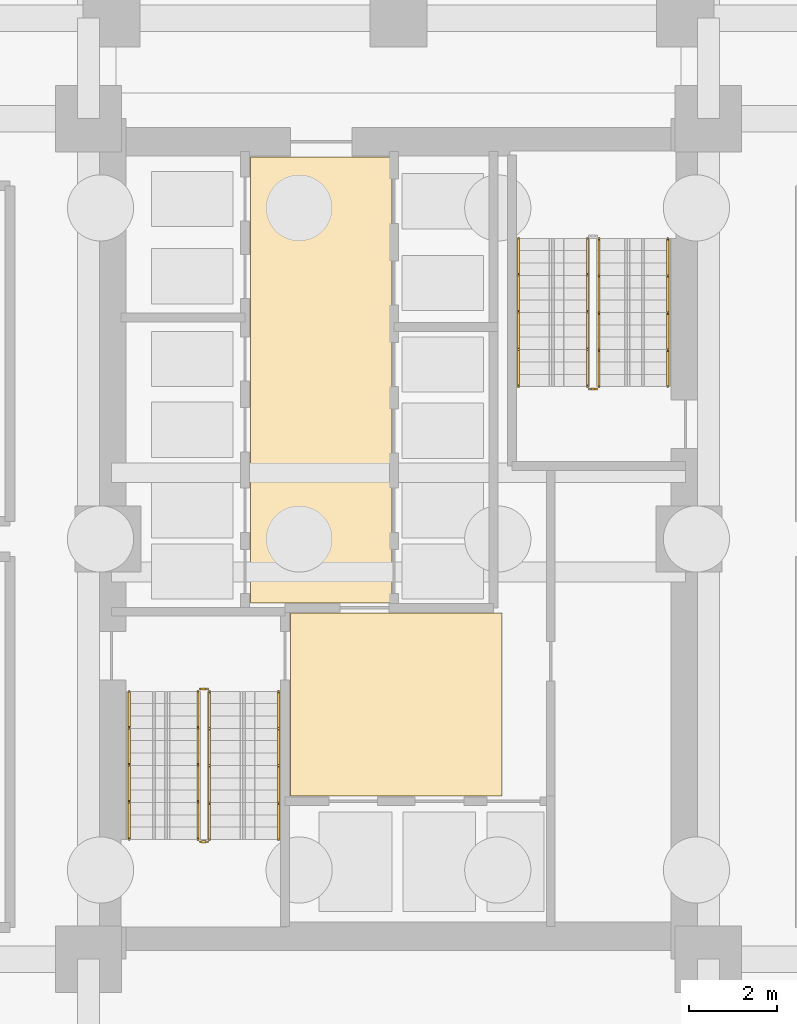
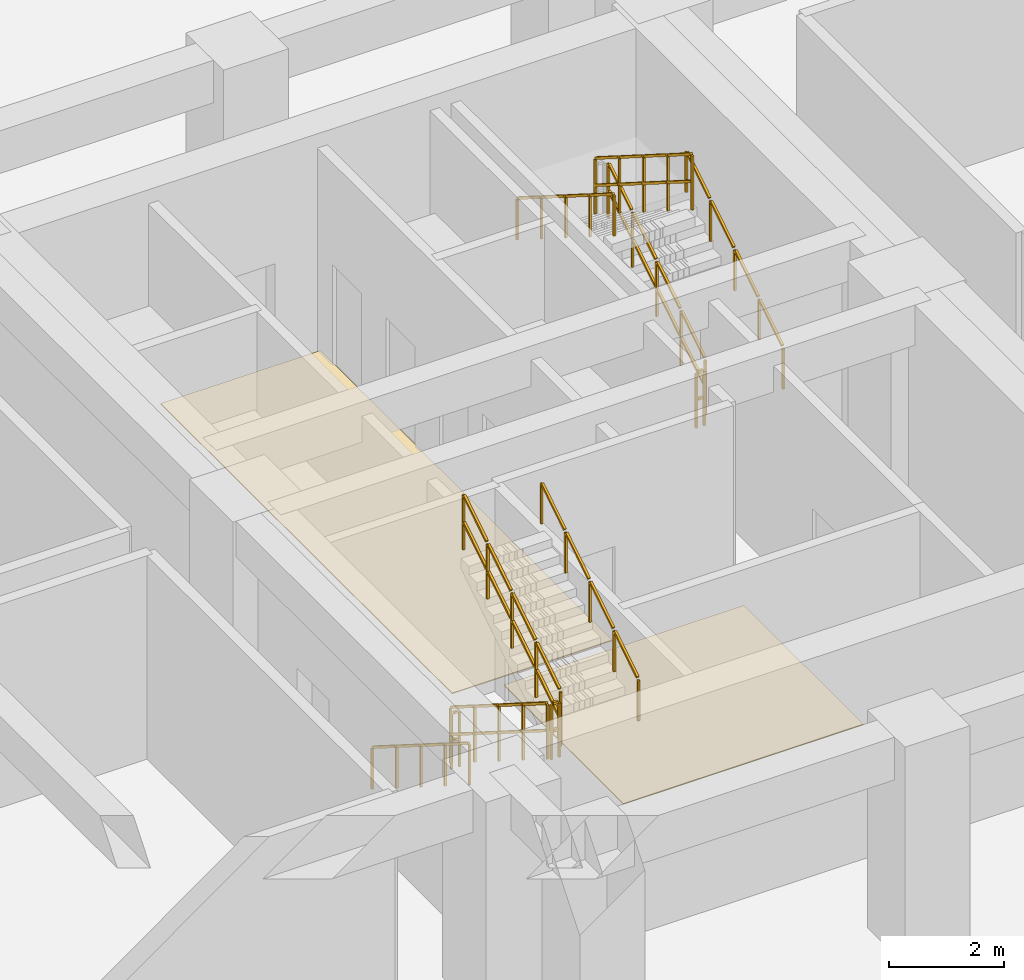
# One storey, part 10 of 14: 11 railings, 2 coverings.
"""IFC4 building model written with IfcOpenShell, lengths in metres."""

import ifcopenshell
import ifcopenshell.guid

model = None  # the IFC model being written
_history = None  # IfcOwnerHistory: only IFC2X3 demands one
_inside = {}  # id of a spatial element -> (the spatial element, [elements in it])
_under = {}  # id of a project, library or spatial element -> (it, [spatial elements below it])
_declared = {}  # id of a project -> (the project, [libraries it declares])
_typed = {}  # id of a type object -> (the type object, [elements of that type])
_made_of = {}  # id of a material, layer set ... -> (it, [elements and type objects made of it])


def new_model(schema):
    """Start an empty IFC model of exactly this schema.

    Asked for "IFC4X3", IfcOpenShell would pick the latest addendum, in which some entities
    have other attributes; the version numbers below select the first issue.
    IFC2X3 requires an IfcOwnerHistory on every rooted entity: one is made here for all.
    """
    global model, _history
    if schema == "IFC4X3":
        model = ifcopenshell.file(schema_version=(4, 3, 0, 0))
    else:
        model = ifcopenshell.file(schema=schema)
    _inside.clear()
    _under.clear()
    _declared.clear()
    _typed.clear()
    _made_of.clear()
    _history = None
    if model.schema == "IFC2X3":
        org = make("IfcOrganization", Name="unknown")
        user = make(
            "IfcPersonAndOrganization",
            ThePerson=make("IfcPerson", FamilyName="unknown"),
            TheOrganization=org,
        )
        app = make(
            "IfcApplication",
            ApplicationDeveloper=org,
            Version="unknown",
            ApplicationFullName="unknown",
            ApplicationIdentifier="unknown",
        )
        _history = make(
            "IfcOwnerHistory",
            OwningUser=user,
            OwningApplication=app,
            ChangeAction="ADDED",
            CreationDate=0,
        )
    return model


def make(cls, **values):
    """One entity of the class cls with the attributes given. An attribute that is None is left unset."""
    return model.create_entity(
        cls, **{name: value for name, value in values.items() if value is not None}
    )


def rooted(cls, **values):
    """An entity with a GlobalId (a new one), such as an element, a storey or a relation."""
    return make(cls, GlobalId=ifcopenshell.guid.new(), OwnerHistory=_history, **values)


def si_unit(unit_type, name, prefix=None):
    """IfcSIUnit, for example si_unit("LENGTHUNIT", "METRE", prefix="MILLI")."""
    return make("IfcSIUnit", UnitType=unit_type, Prefix=prefix, Name=name)


def assignment(units):
    """IfcUnitAssignment: the units of a project."""
    return None if units is None else make("IfcUnitAssignment", Units=units)


def point(xyz):
    """IfcCartesianPoint."""
    return None if xyz is None else make("IfcCartesianPoint", Coordinates=xyz)


def direction(xyz):
    """IfcDirection."""
    return None if xyz is None else make("IfcDirection", DirectionRatios=xyz)


def frame(location, z_axis=None, x_axis=None):
    """IfcAxis2Placement3D, a coordinate frame: its origin and axes. An axis left out is left unset."""
    return make(
        "IfcAxis2Placement3D",
        Location=point(location),
        Axis=direction(z_axis),
        RefDirection=direction(x_axis),
    )


def frame_2d(location, x_axis=None):
    """IfcAxis2Placement2D, a coordinate frame in the plane: its origin and x axis."""
    return make(
        "IfcAxis2Placement2D", Location=point(location), RefDirection=direction(x_axis)
    )


def origin():
    """The frame at (0, 0, 0) with its axes left unset."""
    return frame((0.0, 0.0, 0.0))


def origin_2d():
    """The frame at (0, 0) in the plane with its x axis left unset."""
    return frame_2d((0.0, 0.0))


def place(relative_to, where):
    """IfcLocalPlacement: puts the frame where relative to a parent placement (None: the world)."""
    return make(
        "IfcLocalPlacement", PlacementRelTo=relative_to, RelativePlacement=where
    )


def context(
    kind, dimensions, precision=None, world=None, true_north=None, identifier=None
):
    """IfcGeometricRepresentationContext, for example the 3D "Model" context."""
    return make(
        "IfcGeometricRepresentationContext",
        ContextIdentifier=identifier,
        ContextType=kind,
        CoordinateSpaceDimension=dimensions,
        Precision=precision,
        WorldCoordinateSystem=world,
        TrueNorth=true_north,
    )


def subcontext(parent, identifier, kind, view, scale=None):
    """IfcGeometricRepresentationSubContext, for example "Body" below "Model"."""
    return make(
        "IfcGeometricRepresentationSubContext",
        ContextIdentifier=identifier,
        ContextType=kind,
        ParentContext=parent,
        TargetScale=scale,
        TargetView=view,
    )


def project(units=None, contexts=None):
    """IfcProject with its units and contexts."""
    return rooted(
        "IfcProject",
        Name="project",
        RepresentationContexts=contexts,
        UnitsInContext=assignment(units),
    )


def spatial(cls, under=None, at=None, **own):
    """A site, building, storey or space (cls), placed at a placement, below another one or the project."""
    s = rooted(cls, ObjectPlacement=at, **own)
    if under is not None:
        _under.setdefault(under.id(), (under, []))[1].append(s)
    return s


def polyline(points):
    """IfcPolyline through the points."""
    return make("IfcPolyline", Points=[point(p) for p in points])


def profile(cls, at=None, kind="AREA", **sizes):
    """A parametric profile (cls). Its sizes go by their IFC names, for example OverallWidth=200.0."""
    return make(cls, ProfileType=kind, Position=at, **sizes)


def rectangle(**sizes):
    """IfcRectangleProfileDef."""
    return profile("IfcRectangleProfileDef", **sizes)


def outline(outer, holes=None, kind="AREA"):
    """IfcArbitraryClosedProfileDef: a profile drawn as a closed curve; with holes, ...WithVoids."""
    if holes is None:
        return make("IfcArbitraryClosedProfileDef", ProfileType=kind, OuterCurve=outer)
    return make(
        "IfcArbitraryProfileDefWithVoids",
        ProfileType=kind,
        OuterCurve=outer,
        InnerCurves=holes,
    )


def extrude(swept, where, along, depth):
    """IfcExtrudedAreaSolid: the profile swept, set in the frame where, extruded along a direction by depth."""
    return make(
        "IfcExtrudedAreaSolid",
        SweptArea=swept,
        Position=where,
        ExtrudedDirection=direction(along),
        Depth=depth,
    )


def shape(context_of_items, identifier, shape_type, items):
    """IfcShapeRepresentation: the items that make up one representation, for example the "Body"."""
    return make(
        "IfcShapeRepresentation",
        ContextOfItems=context_of_items,
        RepresentationIdentifier=identifier,
        RepresentationType=shape_type,
        Items=items,
    )


def material(Name=None, Category=None):
    """IfcMaterial."""
    return make("IfcMaterial", Name=Name, Category=Category)


def layer(
    of_material, thickness, ventilated=None, Name=None, Category=None, Priority=None
):
    """IfcMaterialLayer: one layer of a wall or slab, of a material (None: an air gap)."""
    return make(
        "IfcMaterialLayer",
        Material=of_material,
        LayerThickness=thickness,
        IsVentilated=ventilated,
        Name=Name,
        Category=Category,
        Priority=Priority,
    )


def layer_set(layers, Name=None):
    """IfcMaterialLayerSet."""
    return make("IfcMaterialLayerSet", MaterialLayers=layers, LayerSetName=Name)


def made_of(thing, what):
    """Note that an element or type object is made of a material, layer set ...; save() writes the relation."""
    if what is not None:
        _made_of.setdefault(what.id(), (what, []))[1].append(thing)
    return thing


def type_object(cls, material=None, **own):
    """A type object (cls), such as IfcWallType, which elements share."""
    return made_of(rooted(cls, **own), material)


def element(
    cls,
    number,
    at=None,
    inside=None,
    cuts=None,
    type_object=None,
    material=None,
    context=None,
    identifier="Body",
    shape_type=None,
    held_by="IfcProductDefinitionShape",
    body=None,
    shapes=None,
    **own,
):
    """One element of the class cls, such as IfcWall. Its Tag is "e" and its number.

    at: its placement. inside: the storey or other place that contains it. cuts: it is an
    opening in that element (IfcRelVoidsElement). A single representation is given by context,
    identifier, shape_type and body (its items); several are given by shapes. held_by: the class
    of the entity that holds the representations. save() writes the other relations.
    """
    e = rooted(cls, Tag="e%d" % number, ObjectPlacement=at, **own)
    if body is not None:
        shapes = [shape(context, identifier, shape_type, body)]
    if shapes is not None:
        e.Representation = make(held_by, Representations=shapes)
    if inside is not None:
        _inside.setdefault(inside.id(), (inside, []))[1].append(e)
    if cuts is not None:
        rooted(
            "IfcRelVoidsElement", RelatingBuildingElement=cuts, RelatedOpeningElement=e
        )
    if type_object is not None:
        _typed.setdefault(type_object.id(), (type_object, []))[1].append(e)
    return made_of(e, material)


def aggregate(whole, parts):
    """IfcRelAggregates: a whole, such as a stair, and the parts it consists of."""
    return rooted("IfcRelAggregates", RelatingObject=whole, RelatedObjects=parts)


def save(model, path):
    """Write the relations noted so far, then the file.

    IfcRelAggregates (storeys below a building ...), IfcRelContainedInSpatialStructure (elements
    in a storey), IfcRelDefinesByType, IfcRelAssociatesMaterial and IfcRelDeclares: one each for
    every whole, place, type object, material and project.
    """
    for whole, parts in _under.values():
        aggregate(whole, parts)
    for where, things in _inside.values():
        rooted(
            "IfcRelContainedInSpatialStructure",
            RelatedElements=things,
            RelatingStructure=where,
        )
    for kind, things in _typed.values():
        rooted("IfcRelDefinesByType", RelatedObjects=things, RelatingType=kind)
    for what, things in _made_of.values():
        rooted("IfcRelAssociatesMaterial", RelatedObjects=things, RelatingMaterial=what)
    for by, libraries in _declared.values():
        rooted("IfcRelDeclares", RelatingContext=by, RelatedDefinitions=libraries)
    model.write(path)


model = new_model("IFC4")

# Units and contexts
model_context = context("Model", 3, precision=1e-05, world=origin(), true_north=direction((0.0, 1.0)))
body_context = subcontext(model_context, "Body", "Model", "MODEL_VIEW")
ifc_project = project(units=[si_unit("LENGTHUNIT", "METRE"), si_unit("AREAUNIT", "SQUARE_METRE"), si_unit("VOLUMEUNIT", "CUBIC_METRE"), si_unit("PLANEANGLEUNIT", "RADIAN"), si_unit("MASSUNIT", "GRAM", prefix="KILO")], contexts=[model_context])

# Site, building, storey
site_placement = place(None, origin())
site = spatial("IfcSite", under=ifc_project, at=site_placement, CompositionType="ELEMENT")
building_placement = place(site_placement, origin())
building = spatial("IfcBuilding", under=site, at=building_placement, Name="Saelheon Loggia Tower", CompositionType="ELEMENT")
storey_placement = place(building_placement, frame((0.0, 0.0, -9.199951171875)))
storey = spatial("IfcBuildingStorey", under=building, at=storey_placement, Name="B2", CompositionType="ELEMENT", Elevation=-9.199951171875)

# Coverings
ifc_material_1 = material(Name="Vitrified Porcelain Floor Tile", Category="ceramic")
ifc_layer = layer(ifc_material_1, 0.02001953125)
ifc_layer_set = layer_set([ifc_layer], Name="Vitrified Porcelain Floor Tile")
covering_type = type_object("IfcCoveringType", Name="Cov_Floor_Porcelain", PredefinedType="FLOORING", material=ifc_layer_set)
covering_1_placement = place(storey_placement, origin())
element("IfcCovering", 1, at=covering_1_placement, inside=storey, type_object=covering_type, Name="B2 Corridor Porcelain Flooring", PredefinedType="FLOORING", context=body_context, shape_type="SweptSolid", body=[
    extrude(outline(polyline([(35.550048828125, 21.179931640625), (40.35009765625, 21.179931640625), (40.35009765625, 25.320068359375), (35.550048828125, 25.320068359375), (35.550048828125, 21.179931640625)])), origin(), (0.0, 0.0, 1.0), 0.02001953125),
])
covering_2_placement = place(storey_placement, origin())
element("IfcCovering", 2, at=covering_2_placement, inside=storey, type_object=covering_type, Name="B2 Corridor Porcelain Flooring", PredefinedType="FLOORING", context=body_context, shape_type="SweptSolid", body=[
    extrude(outline(polyline([(34.64990234375, 25.550048828125), (37.85009765625, 25.550048828125), (37.85009765625, 35.64990234375), (34.64990234375, 35.64990234375), (34.64990234375, 25.550048828125)])), origin(), (0.0, 0.0, 1.0), 0.02001953125),
])

# Railings
ifc_material_2 = material(Name="Galvanised Steel S275 Stairwell Guardrail", Category="steel")
railing_type_1 = type_object("IfcRailingType", Name="Guard_StairWell_RL_STG", PredefinedType="GUARDRAIL", material=ifc_material_2)
railing_1_placement = place(storey_placement, frame((33.4599609375, 23.550048828125, 0.1767578125)))
element("IfcRailing", 3, at=railing_1_placement, inside=storey, type_object=railing_type_1, Name="B2 ST1 stair guard 1", PredefinedType="GUARDRAIL", context=body_context, shape_type="SweptSolid", body=[
    extrude(rectangle(XDim=0.048095703125, YDim=0.048095703125, at=origin_2d()), frame((0.0, -0.028076171875, 1.193603515625), z_axis=(0.0, -0.845361898145, 0.534194029511), x_axis=(1.0, 0.0, 0.0)), (0.0, 0.0, 1.0), 0.92724609375),
    extrude(rectangle(XDim=0.048095703125, YDim=0.048095703125, at=origin_2d()), frame((0.0, -0.028076171875, 0.61767578125), z_axis=(0.0, -0.845361898145, 0.534194029511), x_axis=(1.0, 0.0, 0.0)), (0.0, 0.0, 1.0), 0.92724609375),
    extrude(rectangle(XDim=0.048095703125, YDim=0.048095703125, at=origin_2d()), frame((0.0, -0.8681640625, 1.724365234375), z_axis=(0.0, -0.845361898145, 0.534194029511), x_axis=(1.0, 0.0, 0.0)), (0.0, 0.0, 1.0), 0.92724609375),
    extrude(rectangle(XDim=0.048095703125, YDim=0.048095703125, at=origin_2d()), frame((0.0, -0.8681640625, 1.1484375), z_axis=(0.0, -0.845361898145, 0.534194029511), x_axis=(1.0, 0.0, 0.0)), (0.0, 0.0, 1.0), 0.92724609375),
    extrude(rectangle(XDim=0.048095703125, YDim=0.048095703125, at=origin_2d()), frame((0.0, -1.708251953125, 2.25537109375), z_axis=(0.0, -0.845361898145, 0.534194029511), x_axis=(1.0, 0.0, 0.0)), (0.0, 0.0, 1.0), 0.92724609375),
    extrude(rectangle(XDim=0.048095703125, YDim=0.048095703125, at=origin_2d()), frame((0.0, -1.708251953125, 1.679443359375), z_axis=(0.0, -0.845361898145, 0.534194029511), x_axis=(1.0, 0.0, 0.0)), (0.0, 0.0, 1.0), 0.92724609375),
    extrude(rectangle(XDim=0.048095703125, YDim=0.048095703125, at=origin_2d()), frame((0.0, -2.548095703125, 2.7861328125), z_axis=(0.0, -0.845361898145, 0.534194029511), x_axis=(1.0, 0.0, 0.0)), (0.0, 0.0, 1.0), 0.92724609375),
    extrude(rectangle(XDim=0.048095703125, YDim=0.048095703125, at=origin_2d()), frame((0.0, -2.548095703125, 2.210205078125), z_axis=(0.0, -0.845361898145, 0.534194029511), x_axis=(1.0, 0.0, 0.0)), (0.0, 0.0, 1.0), 0.92724609375),
    extrude(rectangle(XDim=0.0419921875, YDim=0.0419921875, at=origin_2d()), origin(), (0.0, 0.0, 1.0), 1.14794921875),
    extrude(rectangle(XDim=0.0419921875, YDim=0.0419921875, at=origin_2d()), frame((0.0, -0.840087890625, 0.53076171875)), (0.0, 0.0, 1.0), 1.14794921875),
    extrude(rectangle(XDim=0.0419921875, YDim=0.0419921875, at=origin_2d()), frame((0.0, -1.68017578125, 1.0615234375)), (0.0, 0.0, 1.0), 1.14794921875),
    extrude(rectangle(XDim=0.0419921875, YDim=0.0419921875, at=origin_2d()), frame((0.0, -2.52001953125, 1.592529296875)), (0.0, 0.0, 1.0), 1.14794921875),
    extrude(rectangle(XDim=0.0419921875, YDim=0.0419921875, at=origin_2d()), frame((0.0, -3.360107421875, 2.123291015625)), (0.0, 0.0, 1.0), 1.14794921875),
])
railing_2_placement = place(storey_placement, frame((33.510009765625, 20.139892578125, 2.300048828125)))
element("IfcRailing", 4, at=railing_2_placement, inside=storey, type_object=railing_type_1, Name="B2 ST1 stair guard 2", PredefinedType="GUARDRAIL", context=body_context, shape_type="SweptSolid", body=[
    extrude(rectangle(XDim=0.048095703125, YDim=0.048095703125, at=origin_2d()), frame((0.033203125, 0.0, 1.17578125), z_axis=(1.0, 0.0, 0.0), x_axis=(0.0, 1.0, 0.0)), (0.0, 0.0, 1.0), 0.093505859375),
    extrude(rectangle(XDim=0.048095703125, YDim=0.048095703125, at=origin_2d()), frame((0.033203125, 0.0, 0.60009765625), z_axis=(1.0, 0.0, 0.0), x_axis=(0.0, 1.0, 0.0)), (0.0, 0.0, 1.0), 0.093505859375),
    extrude(rectangle(XDim=0.0419921875, YDim=0.0419921875, at=origin_2d()), origin(), (0.0, 0.0, 1.0), 1.14794921875),
    extrude(rectangle(XDim=0.0419921875, YDim=0.0419921875, at=origin_2d()), frame((0.159912109375, 0.0, 0.0)), (0.0, 0.0, 1.0), 1.14794921875),
])
railing_3_placement = place(storey_placement, frame((33.719970703125, 20.18994140625, 2.476806640625)))
element("IfcRailing", 5, at=railing_3_placement, inside=storey, type_object=railing_type_1, Name="B2 ST1 stair guard 3", PredefinedType="GUARDRAIL", context=body_context, shape_type="SweptSolid", body=[
    extrude(rectangle(XDim=0.048095703125, YDim=0.048095703125, at=origin_2d()), frame((0.0, 0.028076171875, 1.193603515625), z_axis=(0.0, 0.845389635667, 0.534150132366), x_axis=(-1.0, 0.0, 0.0)), (0.0, 0.0, 1.0), 0.92724609375),
    extrude(rectangle(XDim=0.048095703125, YDim=0.048095703125, at=origin_2d()), frame((0.0, 0.028076171875, 0.61767578125), z_axis=(0.0, 0.845389635667, 0.534150132366), x_axis=(-1.0, 0.0, 0.0)), (0.0, 0.0, 1.0), 0.92724609375),
    extrude(rectangle(XDim=0.048095703125, YDim=0.048095703125, at=origin_2d()), frame((0.0, 0.8681640625, 1.724365234375), z_axis=(0.0, 0.845389635667, 0.534150132366), x_axis=(-1.0, 0.0, 0.0)), (0.0, 0.0, 1.0), 0.92724609375),
    extrude(rectangle(XDim=0.048095703125, YDim=0.048095703125, at=origin_2d()), frame((0.0, 0.8681640625, 1.1484375), z_axis=(0.0, 0.845389635667, 0.534150132366), x_axis=(-1.0, 0.0, 0.0)), (0.0, 0.0, 1.0), 0.92724609375),
    extrude(rectangle(XDim=0.048095703125, YDim=0.048095703125, at=origin_2d()), frame((0.0, 1.708251953125, 2.255126953125), z_axis=(0.0, 0.845389635667, 0.534150132366), x_axis=(-1.0, 0.0, 0.0)), (0.0, 0.0, 1.0), 0.92724609375),
    extrude(rectangle(XDim=0.048095703125, YDim=0.048095703125, at=origin_2d()), frame((0.0, 1.708251953125, 1.67919921875), z_axis=(0.0, 0.845389635667, 0.534150132366), x_axis=(-1.0, 0.0, 0.0)), (0.0, 0.0, 1.0), 0.92724609375),
    extrude(rectangle(XDim=0.048095703125, YDim=0.048095703125, at=origin_2d()), frame((0.0, 2.548095703125, 2.785888671875), z_axis=(0.0, 0.845389635667, 0.534150132366), x_axis=(-1.0, 0.0, 0.0)), (0.0, 0.0, 1.0), 0.92724609375),
    extrude(rectangle(XDim=0.048095703125, YDim=0.048095703125, at=origin_2d()), frame((0.0, 2.548095703125, 2.2099609375), z_axis=(0.0, 0.845389635667, 0.534150132366), x_axis=(-1.0, 0.0, 0.0)), (0.0, 0.0, 1.0), 0.92724609375),
    extrude(rectangle(XDim=0.0419921875, YDim=0.0419921875, at=origin_2d()), origin(), (0.0, 0.0, 1.0), 1.14794921875),
    extrude(rectangle(XDim=0.0419921875, YDim=0.0419921875, at=origin_2d()), frame((0.0, 0.840087890625, 0.53076171875)), (0.0, 0.0, 1.0), 1.14794921875),
    extrude(rectangle(XDim=0.0419921875, YDim=0.0419921875, at=origin_2d()), frame((0.0, 1.68017578125, 1.0615234375)), (0.0, 0.0, 1.0), 1.14794921875),
    extrude(rectangle(XDim=0.0419921875, YDim=0.0419921875, at=origin_2d()), frame((0.0, 2.52001953125, 1.59228515625)), (0.0, 0.0, 1.0), 1.14794921875),
    extrude(rectangle(XDim=0.0419921875, YDim=0.0419921875, at=origin_2d()), frame((0.0, 3.360107421875, 2.123046875)), (0.0, 0.0, 1.0), 1.14794921875),
])
railing_4_placement = place(storey_placement, frame((33.510009765625, 23.60009765625, 0.0)))
element("IfcRailing", 6, at=railing_4_placement, inside=storey, type_object=railing_type_1, Name="B2 ST1 stair guard 4", PredefinedType="GUARDRAIL", context=body_context, shape_type="SweptSolid", body=[
    extrude(rectangle(XDim=0.048095703125, YDim=0.048095703125, at=origin_2d()), frame((0.033203125, 0.0, 1.17578125), z_axis=(1.0, 0.0, 0.0), x_axis=(0.0, 1.0, 0.0)), (0.0, 0.0, 1.0), 0.093505859375),
    extrude(rectangle(XDim=0.048095703125, YDim=0.048095703125, at=origin_2d()), frame((0.033203125, 0.0, 0.60009765625), z_axis=(1.0, 0.0, 0.0), x_axis=(0.0, 1.0, 0.0)), (0.0, 0.0, 1.0), 0.093505859375),
    extrude(rectangle(XDim=0.0419921875, YDim=0.0419921875, at=origin_2d()), origin(), (0.0, 0.0, 1.0), 1.14794921875),
    extrude(rectangle(XDim=0.0419921875, YDim=0.0419921875, at=origin_2d()), frame((0.159912109375, 0.0, 0.0)), (0.0, 0.0, 1.0), 1.14794921875),
])
railing_5_placement = place(storey_placement, frame((42.5400390625, 30.449951171875, 0.1767578125)))
element("IfcRailing", 7, at=railing_5_placement, inside=storey, type_object=railing_type_1, Name="B2 ST2 stair guard 1", PredefinedType="GUARDRAIL", context=body_context, shape_type="SweptSolid", body=[
    extrude(rectangle(XDim=0.048095703125, YDim=0.048095703125, at=origin_2d()), frame((0.0, 0.028076171875, 1.193603515625), z_axis=(0.0, 0.845361898145, 0.534194029511), x_axis=(-1.0, 0.0, 0.0)), (0.0, 0.0, 1.0), 0.92724609375),
    extrude(rectangle(XDim=0.048095703125, YDim=0.048095703125, at=origin_2d()), frame((0.0, 0.028076171875, 0.61767578125), z_axis=(0.0, 0.845361898145, 0.534194029511), x_axis=(-1.0, 0.0, 0.0)), (0.0, 0.0, 1.0), 0.92724609375),
    extrude(rectangle(XDim=0.048095703125, YDim=0.048095703125, at=origin_2d()), frame((0.0, 0.8681640625, 1.724365234375), z_axis=(0.0, 0.845361898145, 0.534194029511), x_axis=(-1.0, 0.0, 0.0)), (0.0, 0.0, 1.0), 0.92724609375),
    extrude(rectangle(XDim=0.048095703125, YDim=0.048095703125, at=origin_2d()), frame((0.0, 0.8681640625, 1.1484375), z_axis=(0.0, 0.845361898145, 0.534194029511), x_axis=(-1.0, 0.0, 0.0)), (0.0, 0.0, 1.0), 0.92724609375),
    extrude(rectangle(XDim=0.048095703125, YDim=0.048095703125, at=origin_2d()), frame((0.0, 1.708251953125, 2.25537109375), z_axis=(0.0, 0.845361898145, 0.534194029511), x_axis=(-1.0, 0.0, 0.0)), (0.0, 0.0, 1.0), 0.92724609375),
    extrude(rectangle(XDim=0.048095703125, YDim=0.048095703125, at=origin_2d()), frame((0.0, 1.708251953125, 1.679443359375), z_axis=(0.0, 0.845361898145, 0.534194029511), x_axis=(-1.0, 0.0, 0.0)), (0.0, 0.0, 1.0), 0.92724609375),
    extrude(rectangle(XDim=0.048095703125, YDim=0.048095703125, at=origin_2d()), frame((0.0, 2.548095703125, 2.7861328125), z_axis=(0.0, 0.845361898145, 0.534194029511), x_axis=(-1.0, 0.0, 0.0)), (0.0, 0.0, 1.0), 0.92724609375),
    extrude(rectangle(XDim=0.048095703125, YDim=0.048095703125, at=origin_2d()), frame((0.0, 2.548095703125, 2.210205078125), z_axis=(0.0, 0.845361898145, 0.534194029511), x_axis=(-1.0, 0.0, 0.0)), (0.0, 0.0, 1.0), 0.92724609375),
    extrude(rectangle(XDim=0.0419921875, YDim=0.0419921875, at=origin_2d()), origin(), (0.0, 0.0, 1.0), 1.14794921875),
    extrude(rectangle(XDim=0.0419921875, YDim=0.0419921875, at=origin_2d()), frame((0.0, 0.840087890625, 0.53076171875)), (0.0, 0.0, 1.0), 1.14794921875),
    extrude(rectangle(XDim=0.0419921875, YDim=0.0419921875, at=origin_2d()), frame((0.0, 1.68017578125, 1.0615234375)), (0.0, 0.0, 1.0), 1.14794921875),
    extrude(rectangle(XDim=0.0419921875, YDim=0.0419921875, at=origin_2d()), frame((0.0, 2.52001953125, 1.592529296875)), (0.0, 0.0, 1.0), 1.14794921875),
    extrude(rectangle(XDim=0.0419921875, YDim=0.0419921875, at=origin_2d()), frame((0.0, 3.360107421875, 2.123291015625)), (0.0, 0.0, 1.0), 1.14794921875),
])
railing_6_placement = place(storey_placement, frame((42.280029296875, 33.81005859375, 2.476806640625)))
element("IfcRailing", 8, at=railing_6_placement, inside=storey, type_object=railing_type_1, Name="B2 ST2 stair guard 3", PredefinedType="GUARDRAIL", context=body_context, shape_type="SweptSolid", body=[
    extrude(rectangle(XDim=0.048095703125, YDim=0.048095703125, at=origin_2d()), frame((0.0, -0.028076171875, 1.193603515625), z_axis=(0.0, -0.845389635667, 0.534150132366), x_axis=(1.0, 0.0, 0.0)), (0.0, 0.0, 1.0), 0.92724609375),
    extrude(rectangle(XDim=0.048095703125, YDim=0.048095703125, at=origin_2d()), frame((0.0, -0.028076171875, 0.61767578125), z_axis=(0.0, -0.845389635667, 0.534150132366), x_axis=(1.0, 0.0, 0.0)), (0.0, 0.0, 1.0), 0.92724609375),
    extrude(rectangle(XDim=0.048095703125, YDim=0.048095703125, at=origin_2d()), frame((0.0, -0.8681640625, 1.724365234375), z_axis=(0.0, -0.845389635667, 0.534150132366), x_axis=(1.0, 0.0, 0.0)), (0.0, 0.0, 1.0), 0.92724609375),
    extrude(rectangle(XDim=0.048095703125, YDim=0.048095703125, at=origin_2d()), frame((0.0, -0.8681640625, 1.1484375), z_axis=(0.0, -0.845389635667, 0.534150132366), x_axis=(1.0, 0.0, 0.0)), (0.0, 0.0, 1.0), 0.92724609375),
    extrude(rectangle(XDim=0.048095703125, YDim=0.048095703125, at=origin_2d()), frame((0.0, -1.708251953125, 2.255126953125), z_axis=(0.0, -0.845389635667, 0.534150132366), x_axis=(1.0, 0.0, 0.0)), (0.0, 0.0, 1.0), 0.92724609375),
    extrude(rectangle(XDim=0.048095703125, YDim=0.048095703125, at=origin_2d()), frame((0.0, -1.708251953125, 1.67919921875), z_axis=(0.0, -0.845389635667, 0.534150132366), x_axis=(1.0, 0.0, 0.0)), (0.0, 0.0, 1.0), 0.92724609375),
    extrude(rectangle(XDim=0.048095703125, YDim=0.048095703125, at=origin_2d()), frame((0.0, -2.548095703125, 2.785888671875), z_axis=(0.0, -0.845389635667, 0.534150132366), x_axis=(1.0, 0.0, 0.0)), (0.0, 0.0, 1.0), 0.92724609375),
    extrude(rectangle(XDim=0.048095703125, YDim=0.048095703125, at=origin_2d()), frame((0.0, -2.548095703125, 2.2099609375), z_axis=(0.0, -0.845389635667, 0.534150132366), x_axis=(1.0, 0.0, 0.0)), (0.0, 0.0, 1.0), 0.92724609375),
    extrude(rectangle(XDim=0.0419921875, YDim=0.0419921875, at=origin_2d()), origin(), (0.0, 0.0, 1.0), 1.14794921875),
    extrude(rectangle(XDim=0.0419921875, YDim=0.0419921875, at=origin_2d()), frame((0.0, -0.840087890625, 0.53076171875)), (0.0, 0.0, 1.0), 1.14794921875),
    extrude(rectangle(XDim=0.0419921875, YDim=0.0419921875, at=origin_2d()), frame((0.0, -1.68017578125, 1.0615234375)), (0.0, 0.0, 1.0), 1.14794921875),
    extrude(rectangle(XDim=0.0419921875, YDim=0.0419921875, at=origin_2d()), frame((0.0, -2.52001953125, 1.59228515625)), (0.0, 0.0, 1.0), 1.14794921875),
    extrude(rectangle(XDim=0.0419921875, YDim=0.0419921875, at=origin_2d()), frame((0.0, -3.360107421875, 2.123046875)), (0.0, 0.0, 1.0), 1.14794921875),
])
railing_7_placement = place(storey_placement, frame((42.489990234375, 30.39990234375, 0.0)))
element("IfcRailing", 9, at=railing_7_placement, inside=storey, type_object=railing_type_1, Name="B2 ST2 stair guard 4", PredefinedType="GUARDRAIL", context=body_context, shape_type="SweptSolid", body=[
    extrude(rectangle(XDim=0.048095703125, YDim=0.048095703125, at=origin_2d()), frame((-0.033203125, 0.0, 1.17578125), z_axis=(-1.0, 0.0, 0.0), x_axis=(0.0, -1.0, 0.0)), (0.0, 0.0, 1.0), 0.093505859375),
    extrude(rectangle(XDim=0.048095703125, YDim=0.048095703125, at=origin_2d()), frame((-0.033203125, 0.0, 0.60009765625), z_axis=(-1.0, 0.0, 0.0), x_axis=(0.0, -1.0, 0.0)), (0.0, 0.0, 1.0), 0.093505859375),
    extrude(rectangle(XDim=0.0419921875, YDim=0.0419921875, at=origin_2d()), origin(), (0.0, 0.0, 1.0), 1.14794921875),
    extrude(rectangle(XDim=0.0419921875, YDim=0.0419921875, at=origin_2d()), frame((-0.159912109375, 0.0, 0.0)), (0.0, 0.0, 1.0), 1.14794921875),
])
ifc_material_3 = material(Name="Stainless Steel 304 Tubular Handrail", Category="steel")
railing_type_2 = type_object("IfcRailingType", Name="Handrail_Stair_RL_HR1", PredefinedType="HANDRAIL", material=ifc_material_3)
railing_8_placement = place(storey_placement, frame((31.89990234375, 23.550048828125, 0.1767578125)))
element("IfcRailing", 10, at=railing_8_placement, inside=storey, type_object=railing_type_2, Name="B2 ST1 stair handrail 1", PredefinedType="HANDRAIL", context=body_context, shape_type="SweptSolid", body=[
    extrude(rectangle(XDim=0.048095703125, YDim=0.048095703125, at=origin_2d()), frame((0.0, -0.028076171875, 0.8935546875), z_axis=(0.0, -0.845361898145, 0.534194029511), x_axis=(1.0, 0.0, 0.0)), (0.0, 0.0, 1.0), 0.92724609375),
    extrude(rectangle(XDim=0.048095703125, YDim=0.048095703125, at=origin_2d()), frame((0.0, -0.8681640625, 1.42431640625), z_axis=(0.0, -0.845361898145, 0.534194029511), x_axis=(1.0, 0.0, 0.0)), (0.0, 0.0, 1.0), 0.92724609375),
    extrude(rectangle(XDim=0.048095703125, YDim=0.048095703125, at=origin_2d()), frame((0.0, -1.708251953125, 1.955322265625), z_axis=(0.0, -0.845361898145, 0.534194029511), x_axis=(1.0, 0.0, 0.0)), (0.0, 0.0, 1.0), 0.92724609375),
    extrude(rectangle(XDim=0.048095703125, YDim=0.048095703125, at=origin_2d()), frame((0.0, -2.548095703125, 2.486083984375), z_axis=(0.0, -0.845361898145, 0.534194029511), x_axis=(1.0, 0.0, 0.0)), (0.0, 0.0, 1.0), 0.92724609375),
    extrude(rectangle(XDim=0.0419921875, YDim=0.0419921875, at=origin_2d()), origin(), (0.0, 0.0, 1.0), 0.847900390625),
    extrude(rectangle(XDim=0.0419921875, YDim=0.0419921875, at=origin_2d()), frame((0.0, -0.840087890625, 0.53076171875)), (0.0, 0.0, 1.0), 0.847900390625),
    extrude(rectangle(XDim=0.0419921875, YDim=0.0419921875, at=origin_2d()), frame((0.0, -1.68017578125, 1.0615234375)), (0.0, 0.0, 1.0), 0.847900390625),
    extrude(rectangle(XDim=0.0419921875, YDim=0.0419921875, at=origin_2d()), frame((0.0, -2.52001953125, 1.592529296875)), (0.0, 0.0, 1.0), 0.847900390625),
    extrude(rectangle(XDim=0.0419921875, YDim=0.0419921875, at=origin_2d()), frame((0.0, -3.360107421875, 2.123291015625)), (0.0, 0.0, 1.0), 0.847900390625),
])
railing_9_placement = place(storey_placement, frame((35.280029296875, 20.18994140625, 2.476806640625)))
element("IfcRailing", 11, at=railing_9_placement, inside=storey, type_object=railing_type_2, Name="B2 ST1 stair handrail 2", PredefinedType="HANDRAIL", context=body_context, shape_type="SweptSolid", body=[
    extrude(rectangle(XDim=0.048095703125, YDim=0.048095703125, at=origin_2d()), frame((0.0, 0.028076171875, 0.8935546875), z_axis=(0.0, 0.845389635667, 0.534150132366), x_axis=(-1.0, 0.0, 0.0)), (0.0, 0.0, 1.0), 0.92724609375),
    extrude(rectangle(XDim=0.048095703125, YDim=0.048095703125, at=origin_2d()), frame((0.0, 0.8681640625, 1.42431640625), z_axis=(0.0, 0.845389635667, 0.534150132366), x_axis=(-1.0, 0.0, 0.0)), (0.0, 0.0, 1.0), 0.92724609375),
    extrude(rectangle(XDim=0.048095703125, YDim=0.048095703125, at=origin_2d()), frame((0.0, 1.708251953125, 1.955078125), z_axis=(0.0, 0.845389635667, 0.534150132366), x_axis=(-1.0, 0.0, 0.0)), (0.0, 0.0, 1.0), 0.92724609375),
    extrude(rectangle(XDim=0.048095703125, YDim=0.048095703125, at=origin_2d()), frame((0.0, 2.548095703125, 2.48583984375), z_axis=(0.0, 0.845389635667, 0.534150132366), x_axis=(-1.0, 0.0, 0.0)), (0.0, 0.0, 1.0), 0.92724609375),
    extrude(rectangle(XDim=0.0419921875, YDim=0.0419921875, at=origin_2d()), origin(), (0.0, 0.0, 1.0), 0.847900390625),
    extrude(rectangle(XDim=0.0419921875, YDim=0.0419921875, at=origin_2d()), frame((0.0, 0.840087890625, 0.53076171875)), (0.0, 0.0, 1.0), 0.847900390625),
    extrude(rectangle(XDim=0.0419921875, YDim=0.0419921875, at=origin_2d()), frame((0.0, 1.68017578125, 1.0615234375)), (0.0, 0.0, 1.0), 0.847900390625),
    extrude(rectangle(XDim=0.0419921875, YDim=0.0419921875, at=origin_2d()), frame((0.0, 2.52001953125, 1.59228515625)), (0.0, 0.0, 1.0), 0.847900390625),
    extrude(rectangle(XDim=0.0419921875, YDim=0.0419921875, at=origin_2d()), frame((0.0, 3.360107421875, 2.123046875)), (0.0, 0.0, 1.0), 0.847900390625),
])
railing_10_placement = place(storey_placement, frame((44.10009765625, 30.449951171875, 0.1767578125)))
element("IfcRailing", 12, at=railing_10_placement, inside=storey, type_object=railing_type_2, Name="B2 ST2 stair handrail 1", PredefinedType="HANDRAIL", context=body_context, shape_type="SweptSolid", body=[
    extrude(rectangle(XDim=0.048095703125, YDim=0.048095703125, at=origin_2d()), frame((0.0, 0.028076171875, 0.8935546875), z_axis=(0.0, 0.845361898145, 0.534194029511), x_axis=(-1.0, 0.0, 0.0)), (0.0, 0.0, 1.0), 0.92724609375),
    extrude(rectangle(XDim=0.048095703125, YDim=0.048095703125, at=origin_2d()), frame((0.0, 0.8681640625, 1.42431640625), z_axis=(0.0, 0.845361898145, 0.534194029511), x_axis=(-1.0, 0.0, 0.0)), (0.0, 0.0, 1.0), 0.92724609375),
    extrude(rectangle(XDim=0.048095703125, YDim=0.048095703125, at=origin_2d()), frame((0.0, 1.708251953125, 1.955322265625), z_axis=(0.0, 0.845361898145, 0.534194029511), x_axis=(-1.0, 0.0, 0.0)), (0.0, 0.0, 1.0), 0.92724609375),
    extrude(rectangle(XDim=0.048095703125, YDim=0.048095703125, at=origin_2d()), frame((0.0, 2.548095703125, 2.486083984375), z_axis=(0.0, 0.845361898145, 0.534194029511), x_axis=(-1.0, 0.0, 0.0)), (0.0, 0.0, 1.0), 0.92724609375),
    extrude(rectangle(XDim=0.0419921875, YDim=0.0419921875, at=origin_2d()), origin(), (0.0, 0.0, 1.0), 0.847900390625),
    extrude(rectangle(XDim=0.0419921875, YDim=0.0419921875, at=origin_2d()), frame((0.0, 0.840087890625, 0.53076171875)), (0.0, 0.0, 1.0), 0.847900390625),
    extrude(rectangle(XDim=0.0419921875, YDim=0.0419921875, at=origin_2d()), frame((0.0, 1.68017578125, 1.0615234375)), (0.0, 0.0, 1.0), 0.847900390625),
    extrude(rectangle(XDim=0.0419921875, YDim=0.0419921875, at=origin_2d()), frame((0.0, 2.52001953125, 1.592529296875)), (0.0, 0.0, 1.0), 0.847900390625),
    extrude(rectangle(XDim=0.0419921875, YDim=0.0419921875, at=origin_2d()), frame((0.0, 3.360107421875, 2.123291015625)), (0.0, 0.0, 1.0), 0.847900390625),
])
railing_11_placement = place(storey_placement, frame((40.719970703125, 33.81005859375, 2.476806640625)))
element("IfcRailing", 13, at=railing_11_placement, inside=storey, type_object=railing_type_2, Name="B2 ST2 stair handrail 2", PredefinedType="HANDRAIL", context=body_context, shape_type="SweptSolid", body=[
    extrude(rectangle(XDim=0.048095703125, YDim=0.048095703125, at=origin_2d()), frame((0.0, -0.028076171875, 0.8935546875), z_axis=(0.0, -0.845389635667, 0.534150132366), x_axis=(1.0, 0.0, 0.0)), (0.0, 0.0, 1.0), 0.92724609375),
    extrude(rectangle(XDim=0.048095703125, YDim=0.048095703125, at=origin_2d()), frame((0.0, -0.8681640625, 1.42431640625), z_axis=(0.0, -0.845389635667, 0.534150132366), x_axis=(1.0, 0.0, 0.0)), (0.0, 0.0, 1.0), 0.92724609375),
    extrude(rectangle(XDim=0.048095703125, YDim=0.048095703125, at=origin_2d()), frame((0.0, -1.708251953125, 1.955078125), z_axis=(0.0, -0.845389635667, 0.534150132366), x_axis=(1.0, 0.0, 0.0)), (0.0, 0.0, 1.0), 0.92724609375),
    extrude(rectangle(XDim=0.048095703125, YDim=0.048095703125, at=origin_2d()), frame((0.0, -2.548095703125, 2.48583984375), z_axis=(0.0, -0.845389635667, 0.534150132366), x_axis=(1.0, 0.0, 0.0)), (0.0, 0.0, 1.0), 0.92724609375),
    extrude(rectangle(XDim=0.0419921875, YDim=0.0419921875, at=origin_2d()), origin(), (0.0, 0.0, 1.0), 0.847900390625),
    extrude(rectangle(XDim=0.0419921875, YDim=0.0419921875, at=origin_2d()), frame((0.0, -0.840087890625, 0.53076171875)), (0.0, 0.0, 1.0), 0.847900390625),
    extrude(rectangle(XDim=0.0419921875, YDim=0.0419921875, at=origin_2d()), frame((0.0, -1.68017578125, 1.0615234375)), (0.0, 0.0, 1.0), 0.847900390625),
    extrude(rectangle(XDim=0.0419921875, YDim=0.0419921875, at=origin_2d()), frame((0.0, -2.52001953125, 1.59228515625)), (0.0, 0.0, 1.0), 0.847900390625),
    extrude(rectangle(XDim=0.0419921875, YDim=0.0419921875, at=origin_2d()), frame((0.0, -3.360107421875, 2.123046875)), (0.0, 0.0, 1.0), 0.847900390625),
])

save(model, "model.ifc")
